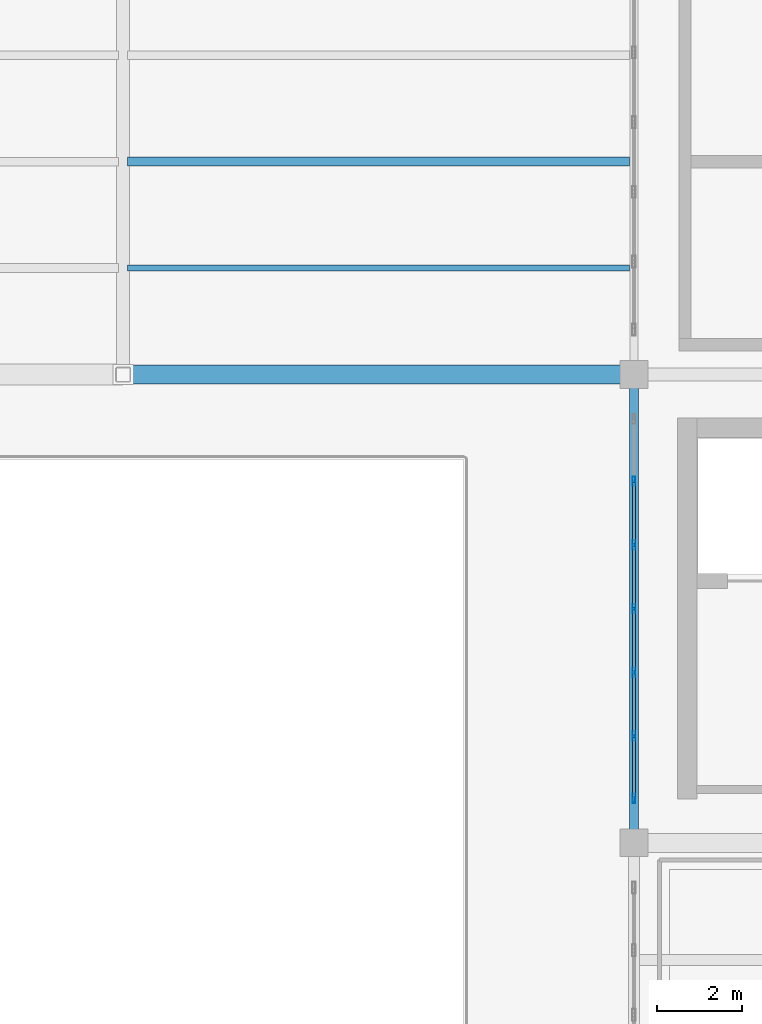
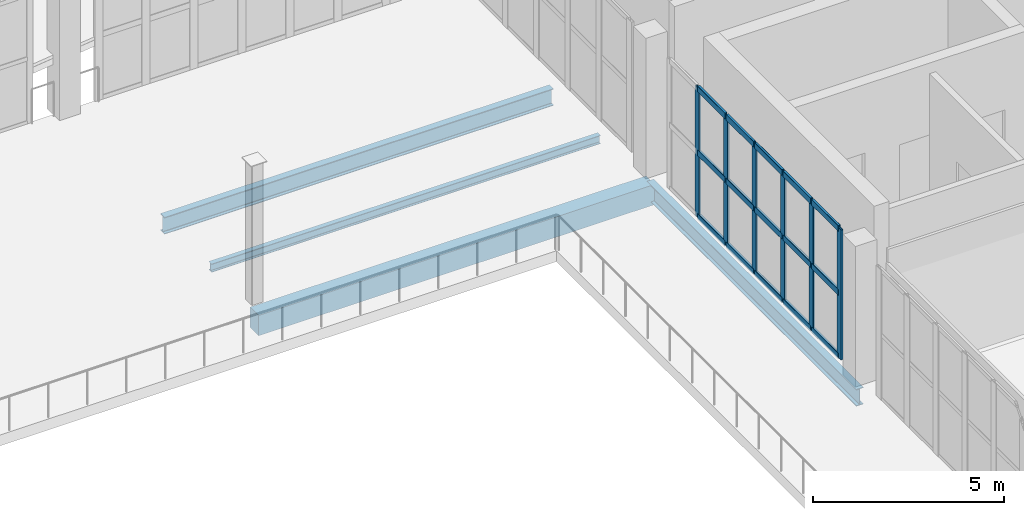
# One storey, part 12 of 90: 21 members, 4 beams, 1 element without a shape of its own.
"""IFC4 building model written with IfcOpenShell, lengths in metres."""

from ifc_helpers import new_model, si_unit, direction, frame, origin, origin_2d, place, context, subcontext, project, spatial, rectangle, hollow_rectangle, i_section, extrude, material, layer, layer_set, material_profile, profile_set, type_object, element, aggregate, save


model = new_model("IFC4")

# Units and contexts
model_context = context("Model", 3, precision=1e-05, world=origin(), true_north=direction((0.0, 1.0)))
body_context = subcontext(model_context, "Body", "Model", "MODEL_VIEW")
ifc_project = project(units=[si_unit("LENGTHUNIT", "METRE"), si_unit("AREAUNIT", "SQUARE_METRE"), si_unit("VOLUMEUNIT", "CUBIC_METRE"), si_unit("PLANEANGLEUNIT", "RADIAN"), si_unit("MASSUNIT", "GRAM", prefix="KILO")], contexts=[model_context])

# Site, building, storey
site_placement = place(None, origin())
site = spatial("IfcSite", under=ifc_project, at=site_placement, CompositionType="ELEMENT")
building_placement = place(site_placement, origin())
building = spatial("IfcBuilding", under=site, at=building_placement, Name="Brinegate Civic Arena", CompositionType="ELEMENT")
storey_placement = place(building_placement, frame((0.0, 0.0, 14.699951171875)))
storey = spatial("IfcBuildingStorey", under=building, at=storey_placement, Name="L03", CompositionType="ELEMENT", Elevation=14.699951171875)

# Curtain wall, members
ifc_material_1 = material(Name="Marine grade aluminium", Category="aluminium")
ifc_layer = layer(ifc_material_1, 0.199951171875, Name="Marine grade aluminium")
ifc_layer_set = layer_set([ifc_layer], Name="Marine grade aluminium")
curtain_wall_type = type_object("IfcCurtainWallType", Name="CW-BOWL-GLAZED-01", PredefinedType="USERDEFINED", material=ifc_layer_set)
curtain_wall_placement = place(storey_placement, origin())
curtain_wall = element("IfcCurtainWall", 1, at=curtain_wall_placement, inside=storey, type_object=curtain_wall_type, Name="Curtain Wall CWA-109", ObjectType="GLAZED CURTAIN WALL", PredefinedType="USERDEFINED")
ifc_material_profile_1 = material_profile(ifc_material_1, hollow_rectangle(XDim=0.06494140625, YDim=0.219970703125, WallThickness=0.006103515625, InnerFilletRadius=0.00390625, OuterFilletRadius=0.008056640625, at=origin_2d()), Name="MUL65X220")
ifc_profile_set_1 = profile_set([ifc_material_profile_1], Name="Marine grade aluminium")
member_type_1 = type_object("IfcMemberType", Name="CW-MULLION-65X220", PredefinedType="MULLION", material=ifc_profile_set_1)
member_1_placement = place(storey_placement, frame((48.0, 32.04248046875, 0.0), z_axis=(0.0, 0.0, 1.0), x_axis=(-1.0, 0.0, 0.0)))
member_1 = element("IfcMember", 2, at=member_1_placement, type_object=member_type_1, Name="CWA-109 mullion 1", PredefinedType="MULLION", context=body_context, shape_type="SweptSolid", body=[
    extrude(hollow_rectangle(XDim=0.06494140625, YDim=0.219970703125, WallThickness=0.006103515625, InnerFilletRadius=0.00390625, OuterFilletRadius=0.008056640625, at=origin_2d()), origin(), (0.0, 0.0, 1.0), 4.16015625),
])
member_2_placement = place(storey_placement, frame((48.0, 33.506591796875, 0.0), z_axis=(0.0, 0.0, 1.0), x_axis=(-1.0, 0.0, 0.0)))
member_2 = element("IfcMember", 3, at=member_2_placement, type_object=member_type_1, Name="CWA-109 mullion 2", PredefinedType="MULLION", context=body_context, shape_type="SweptSolid", body=[
    extrude(hollow_rectangle(XDim=0.06494140625, YDim=0.219970703125, WallThickness=0.006103515625, InnerFilletRadius=0.00390625, OuterFilletRadius=0.008056640625, at=origin_2d()), origin(), (0.0, 0.0, 1.0), 4.16015625),
])
member_3_placement = place(storey_placement, frame((48.0, 35.00341796875, 0.0), z_axis=(0.0, 0.0, 1.0), x_axis=(-1.0, 0.0, 0.0)))
member_3 = element("IfcMember", 4, at=member_3_placement, type_object=member_type_1, Name="CWA-109 mullion 3", PredefinedType="MULLION", context=body_context, shape_type="SweptSolid", body=[
    extrude(hollow_rectangle(XDim=0.06494140625, YDim=0.219970703125, WallThickness=0.006103515625, InnerFilletRadius=0.00390625, OuterFilletRadius=0.008056640625, at=origin_2d()), origin(), (0.0, 0.0, 1.0), 4.16015625),
])
member_4_placement = place(storey_placement, frame((48.0, 36.5, 0.0), z_axis=(0.0, 0.0, 1.0), x_axis=(-1.0, 0.0, 0.0)))
member_4 = element("IfcMember", 5, at=member_4_placement, type_object=member_type_1, Name="CWA-109 mullion 4", PredefinedType="MULLION", context=body_context, shape_type="SweptSolid", body=[
    extrude(hollow_rectangle(XDim=0.06494140625, YDim=0.219970703125, WallThickness=0.006103515625, InnerFilletRadius=0.00390625, OuterFilletRadius=0.008056640625, at=origin_2d()), origin(), (0.0, 0.0, 1.0), 4.16015625),
])
member_5_placement = place(storey_placement, frame((48.0, 37.99658203125, 0.0), z_axis=(0.0, 0.0, 1.0), x_axis=(-1.0, 0.0, 0.0)))
member_5 = element("IfcMember", 6, at=member_5_placement, type_object=member_type_1, Name="CWA-109 mullion 5", PredefinedType="MULLION", context=body_context, shape_type="SweptSolid", body=[
    extrude(hollow_rectangle(XDim=0.06494140625, YDim=0.219970703125, WallThickness=0.006103515625, InnerFilletRadius=0.00390625, OuterFilletRadius=0.008056640625, at=origin_2d()), origin(), (0.0, 0.0, 1.0), 4.16015625),
])
member_6_placement = place(storey_placement, frame((48.0, 39.493408203125, 0.0), z_axis=(0.0, 0.0, 1.0), x_axis=(-1.0, 0.0, 0.0)))
member_6 = element("IfcMember", 7, at=member_6_placement, type_object=member_type_1, Name="CWA-109 mullion 6", PredefinedType="MULLION", context=body_context, shape_type="SweptSolid", body=[
    extrude(hollow_rectangle(XDim=0.06494140625, YDim=0.219970703125, WallThickness=0.006103515625, InnerFilletRadius=0.00390625, OuterFilletRadius=0.008056640625, at=origin_2d()), origin(), (0.0, 0.0, 1.0), 4.16015625),
])
ifc_material_profile_2 = material_profile(ifc_material_1, hollow_rectangle(XDim=0.074951171875, YDim=0.18994140625, WallThickness=0.006103515625, InnerFilletRadius=0.00390625, OuterFilletRadius=0.008056640625, at=origin_2d()), Name="TRN75X190")
ifc_profile_set_2 = profile_set([ifc_material_profile_2], Name="Marine grade aluminium")
member_type_2 = type_object("IfcMemberType", Name="CW-TRANSOM-75X190", PredefinedType="USERDEFINED", material=ifc_profile_set_2)
member_7_placement = place(storey_placement, frame((48.0, 32.074951171875, 0.03759765625), z_axis=(0.0, 1.0, 0.0), x_axis=(-1.0, 0.0, 0.0)))
member_7 = element("IfcMember", 8, at=member_7_placement, type_object=member_type_2, Name="CWA-109 transom 1.1", ObjectType="TRANSOM", PredefinedType="USERDEFINED", context=body_context, shape_type="SweptSolid", body=[
    extrude(hollow_rectangle(XDim=0.074951171875, YDim=0.18994140625, WallThickness=0.006103515625, InnerFilletRadius=0.00390625, OuterFilletRadius=0.008056640625, at=origin_2d()), origin(), (0.0, 0.0, 1.0), 1.399169921875),
])
member_8_placement = place(storey_placement, frame((48.0, 32.074951171875, 2.080078125), z_axis=(0.0, 1.0, 0.0), x_axis=(-1.0, 0.0, 0.0)))
member_8 = element("IfcMember", 9, at=member_8_placement, type_object=member_type_2, Name="CWA-109 transom 1.2", ObjectType="TRANSOM", PredefinedType="USERDEFINED", context=body_context, shape_type="SweptSolid", body=[
    extrude(hollow_rectangle(XDim=0.074951171875, YDim=0.18994140625, WallThickness=0.006103515625, InnerFilletRadius=0.00390625, OuterFilletRadius=0.008056640625, at=origin_2d()), origin(), (0.0, 0.0, 1.0), 1.399169921875),
])
member_9_placement = place(storey_placement, frame((48.0, 32.074951171875, 4.12255859375), z_axis=(0.0, 1.0, 0.0), x_axis=(-1.0, 0.0, 0.0)))
member_9 = element("IfcMember", 10, at=member_9_placement, type_object=member_type_2, Name="CWA-109 transom 1.3", ObjectType="TRANSOM", PredefinedType="USERDEFINED", context=body_context, shape_type="SweptSolid", body=[
    extrude(hollow_rectangle(XDim=0.074951171875, YDim=0.18994140625, WallThickness=0.006103515625, InnerFilletRadius=0.00390625, OuterFilletRadius=0.008056640625, at=origin_2d()), origin(), (0.0, 0.0, 1.0), 1.399169921875),
])
member_10_placement = place(storey_placement, frame((48.0, 33.5390625, 0.03759765625), z_axis=(0.0, 1.0, 0.0), x_axis=(-1.0, 0.0, 0.0)))
member_10 = element("IfcMember", 11, at=member_10_placement, type_object=member_type_2, Name="CWA-109 transom 2.1", ObjectType="TRANSOM", PredefinedType="USERDEFINED", context=body_context, shape_type="SweptSolid", body=[
    extrude(hollow_rectangle(XDim=0.074951171875, YDim=0.18994140625, WallThickness=0.006103515625, InnerFilletRadius=0.00390625, OuterFilletRadius=0.008056640625, at=origin_2d()), origin(), (0.0, 0.0, 1.0), 1.431884765625),
])
member_11_placement = place(storey_placement, frame((48.0, 33.5390625, 2.080078125), z_axis=(0.0, 1.0, 0.0), x_axis=(-1.0, 0.0, 0.0)))
member_11 = element("IfcMember", 12, at=member_11_placement, type_object=member_type_2, Name="CWA-109 transom 2.2", ObjectType="TRANSOM", PredefinedType="USERDEFINED", context=body_context, shape_type="SweptSolid", body=[
    extrude(hollow_rectangle(XDim=0.074951171875, YDim=0.18994140625, WallThickness=0.006103515625, InnerFilletRadius=0.00390625, OuterFilletRadius=0.008056640625, at=origin_2d()), origin(), (0.0, 0.0, 1.0), 1.431884765625),
])
member_12_placement = place(storey_placement, frame((48.0, 33.5390625, 4.12255859375), z_axis=(0.0, 1.0, 0.0), x_axis=(-1.0, 0.0, 0.0)))
member_12 = element("IfcMember", 13, at=member_12_placement, type_object=member_type_2, Name="CWA-109 transom 2.3", ObjectType="TRANSOM", PredefinedType="USERDEFINED", context=body_context, shape_type="SweptSolid", body=[
    extrude(hollow_rectangle(XDim=0.074951171875, YDim=0.18994140625, WallThickness=0.006103515625, InnerFilletRadius=0.00390625, OuterFilletRadius=0.008056640625, at=origin_2d()), origin(), (0.0, 0.0, 1.0), 1.431884765625),
])
member_13_placement = place(storey_placement, frame((48.0, 35.035888671875, 0.03759765625), z_axis=(0.0, 1.0, 0.0), x_axis=(-1.0, 0.0, 0.0)))
member_13 = element("IfcMember", 14, at=member_13_placement, type_object=member_type_2, Name="CWA-109 transom 3.1", ObjectType="TRANSOM", PredefinedType="USERDEFINED", context=body_context, shape_type="SweptSolid", body=[
    extrude(hollow_rectangle(XDim=0.074951171875, YDim=0.18994140625, WallThickness=0.006103515625, InnerFilletRadius=0.00390625, OuterFilletRadius=0.008056640625, at=origin_2d()), origin(), (0.0, 0.0, 1.0), 1.431640625),
])
member_14_placement = place(storey_placement, frame((48.0, 35.035888671875, 2.080078125), z_axis=(0.0, 1.0, 0.0), x_axis=(-1.0, 0.0, 0.0)))
member_14 = element("IfcMember", 15, at=member_14_placement, type_object=member_type_2, Name="CWA-109 transom 3.2", ObjectType="TRANSOM", PredefinedType="USERDEFINED", context=body_context, shape_type="SweptSolid", body=[
    extrude(hollow_rectangle(XDim=0.074951171875, YDim=0.18994140625, WallThickness=0.006103515625, InnerFilletRadius=0.00390625, OuterFilletRadius=0.008056640625, at=origin_2d()), origin(), (0.0, 0.0, 1.0), 1.431640625),
])
member_15_placement = place(storey_placement, frame((48.0, 35.035888671875, 4.12255859375), z_axis=(0.0, 1.0, 0.0), x_axis=(-1.0, 0.0, 0.0)))
member_15 = element("IfcMember", 16, at=member_15_placement, type_object=member_type_2, Name="CWA-109 transom 3.3", ObjectType="TRANSOM", PredefinedType="USERDEFINED", context=body_context, shape_type="SweptSolid", body=[
    extrude(hollow_rectangle(XDim=0.074951171875, YDim=0.18994140625, WallThickness=0.006103515625, InnerFilletRadius=0.00390625, OuterFilletRadius=0.008056640625, at=origin_2d()), origin(), (0.0, 0.0, 1.0), 1.431640625),
])
member_16_placement = place(storey_placement, frame((48.0, 36.532470703125, 0.03759765625), z_axis=(0.0, 1.0, 0.0), x_axis=(-1.0, 0.0, 0.0)))
member_16 = element("IfcMember", 17, at=member_16_placement, type_object=member_type_2, Name="CWA-109 transom 4.1", ObjectType="TRANSOM", PredefinedType="USERDEFINED", context=body_context, shape_type="SweptSolid", body=[
    extrude(hollow_rectangle(XDim=0.074951171875, YDim=0.18994140625, WallThickness=0.006103515625, InnerFilletRadius=0.00390625, OuterFilletRadius=0.008056640625, at=origin_2d()), origin(), (0.0, 0.0, 1.0), 1.431640625),
])
member_17_placement = place(storey_placement, frame((48.0, 36.532470703125, 2.080078125), z_axis=(0.0, 1.0, 0.0), x_axis=(-1.0, 0.0, 0.0)))
member_17 = element("IfcMember", 18, at=member_17_placement, type_object=member_type_2, Name="CWA-109 transom 4.2", ObjectType="TRANSOM", PredefinedType="USERDEFINED", context=body_context, shape_type="SweptSolid", body=[
    extrude(hollow_rectangle(XDim=0.074951171875, YDim=0.18994140625, WallThickness=0.006103515625, InnerFilletRadius=0.00390625, OuterFilletRadius=0.008056640625, at=origin_2d()), origin(), (0.0, 0.0, 1.0), 1.431640625),
])
member_18_placement = place(storey_placement, frame((48.0, 36.532470703125, 4.12255859375), z_axis=(0.0, 1.0, 0.0), x_axis=(-1.0, 0.0, 0.0)))
member_18 = element("IfcMember", 19, at=member_18_placement, type_object=member_type_2, Name="CWA-109 transom 4.3", ObjectType="TRANSOM", PredefinedType="USERDEFINED", context=body_context, shape_type="SweptSolid", body=[
    extrude(hollow_rectangle(XDim=0.074951171875, YDim=0.18994140625, WallThickness=0.006103515625, InnerFilletRadius=0.00390625, OuterFilletRadius=0.008056640625, at=origin_2d()), origin(), (0.0, 0.0, 1.0), 1.431640625),
])
member_19_placement = place(storey_placement, frame((48.0, 38.029052734375, 0.03759765625), z_axis=(0.0, 1.0, 0.0), x_axis=(-1.0, 0.0, 0.0)))
member_19 = element("IfcMember", 20, at=member_19_placement, type_object=member_type_2, Name="CWA-109 transom 5.1", ObjectType="TRANSOM", PredefinedType="USERDEFINED", context=body_context, shape_type="SweptSolid", body=[
    extrude(hollow_rectangle(XDim=0.074951171875, YDim=0.18994140625, WallThickness=0.006103515625, InnerFilletRadius=0.00390625, OuterFilletRadius=0.008056640625, at=origin_2d()), origin(), (0.0, 0.0, 1.0), 1.431884765625),
])
member_20_placement = place(storey_placement, frame((48.0, 38.029052734375, 2.080078125), z_axis=(0.0, 1.0, 0.0), x_axis=(-1.0, 0.0, 0.0)))
member_20 = element("IfcMember", 21, at=member_20_placement, type_object=member_type_2, Name="CWA-109 transom 5.2", ObjectType="TRANSOM", PredefinedType="USERDEFINED", context=body_context, shape_type="SweptSolid", body=[
    extrude(hollow_rectangle(XDim=0.074951171875, YDim=0.18994140625, WallThickness=0.006103515625, InnerFilletRadius=0.00390625, OuterFilletRadius=0.008056640625, at=origin_2d()), origin(), (0.0, 0.0, 1.0), 1.431884765625),
])
member_21_placement = place(storey_placement, frame((48.0, 38.029052734375, 4.12255859375), z_axis=(0.0, 1.0, 0.0), x_axis=(-1.0, 0.0, 0.0)))
member_21 = element("IfcMember", 22, at=member_21_placement, type_object=member_type_2, Name="CWA-109 transom 5.3", ObjectType="TRANSOM", PredefinedType="USERDEFINED", context=body_context, shape_type="SweptSolid", body=[
    extrude(hollow_rectangle(XDim=0.074951171875, YDim=0.18994140625, WallThickness=0.006103515625, InnerFilletRadius=0.00390625, OuterFilletRadius=0.008056640625, at=origin_2d()), origin(), (0.0, 0.0, 1.0), 1.431884765625),
])
aggregate(curtain_wall, [member_1, member_2, member_3, member_4, member_5, member_6, member_7, member_8, member_9, member_10, member_11, member_12, member_13, member_14, member_15, member_16, member_17, member_18, member_19, member_20, member_21])

# Beams
ifc_material_2 = material(Name="Steel S355", Category="steel")
ifc_material_profile_3 = material_profile(ifc_material_2, i_section(OverallWidth=0.14794921875, OverallDepth=0.26611328125, WebThickness=0.008056640625, FlangeThickness=0.012939453125, FilletRadius=0.011962890625, at=origin_2d()), Name="W250X45")
ifc_profile_set_3 = profile_set([ifc_material_profile_3], Name="Steel S355")
beam_type_1 = type_object("IfcBeamType", Name="JOIST-W250X45", PredefinedType="JOIST", material=ifc_profile_set_3)
beam_1_placement = place(storey_placement, frame((36.10595703125, 44.5, -0.48291015625), z_axis=(1.0, 0.0, 0.0), x_axis=(0.0, 1.0, 0.0)))
element("IfcBeam", 23, at=beam_1_placement, inside=storey, type_object=beam_type_1, Name="Secondary Joist BM-L03-JX-03-04-1", PredefinedType="JOIST", context=body_context, shape_type="SweptSolid", body=[
    extrude(i_section(OverallWidth=0.14794921875, OverallDepth=0.26611328125, WebThickness=0.008056640625, FlangeThickness=0.012939453125, FilletRadius=0.011962890625, at=origin_2d()), origin(), (0.0, 0.0, 1.0), 11.7880859375),
])
ifc_material_profile_4 = material_profile(ifc_material_2, i_section(OverallWidth=0.2119140625, OverallDepth=0.5439453125, WebThickness=0.012939453125, FlangeThickness=0.02099609375, FilletRadius=0.01611328125, at=origin_2d()), Name="W530X123")
ifc_profile_set_4 = profile_set([ifc_material_profile_4], Name="Steel S355")
beam_type_2 = type_object("IfcBeamType", Name="JOIST-W530X123", PredefinedType="JOIST", material=ifc_profile_set_4)
beam_2_placement = place(storey_placement, frame((36.10595703125, 47.0, -0.6220703125), z_axis=(1.0, 0.0, 0.0), x_axis=(0.0, 1.0, 0.0)))
element("IfcBeam", 24, at=beam_2_placement, inside=storey, type_object=beam_type_2, Name="Secondary Joist BM-L03-JX-03-04-2", PredefinedType="JOIST", context=body_context, shape_type="SweptSolid", body=[
    extrude(i_section(OverallWidth=0.2119140625, OverallDepth=0.5439453125, WebThickness=0.012939453125, FlangeThickness=0.02099609375, FilletRadius=0.01611328125, at=origin_2d()), origin(), (0.0, 0.0, 1.0), 11.7880859375),
])
ifc_material_3 = material(Name="Concrete C50/60", Category="concrete")
ifc_material_profile_5 = material_profile(ifc_material_3, rectangle(XDim=0.449951171875, YDim=0.64990234375, at=origin_2d()), Name="RCB450X650")
ifc_profile_set_5 = profile_set([ifc_material_profile_5], Name="Concrete C50/60")
beam_type_3 = type_object("IfcBeamType", Name="RCG-450X650", PredefinedType="BEAM", material=ifc_profile_set_5)
beam_3_placement = place(storey_placement, frame((36.0, 42.0, -0.675048828125), z_axis=(1.0, 0.0, 0.0), x_axis=(0.0, 1.0, 0.0)))
element("IfcBeam", 25, at=beam_3_placement, inside=storey, type_object=beam_type_3, Name="Floor Girder BM-L03-GX-03-04", PredefinedType="BEAM", context=body_context, shape_type="SweptSolid", body=[
    extrude(rectangle(XDim=0.449951171875, YDim=0.64990234375, at=origin_2d()), origin(), (0.0, 0.0, 1.0), 12.0),
])
ifc_material_profile_6 = material_profile(ifc_material_2, i_section(OverallWidth=0.2119140625, OverallDepth=0.5439453125, WebThickness=0.012939453125, FlangeThickness=0.02099609375, FilletRadius=0.01611328125, at=origin_2d()), Name="W530X123")
ifc_profile_set_6 = profile_set([ifc_material_profile_6], Name="Steel S355")
beam_type_4 = type_object("IfcBeamType", Name="SPANDREL-W530X123", PredefinedType="SPANDREL", material=ifc_profile_set_6)
beam_4_placement = place(storey_placement, frame((48.0, 31.0, -0.6220703125), z_axis=(0.0, 1.0, 0.0), x_axis=(-1.0, 0.0, 0.0)))
element("IfcBeam", 26, at=beam_4_placement, inside=storey, type_object=beam_type_4, Name="Floor Girder BM-L03-GY-04-03", PredefinedType="SPANDREL", context=body_context, shape_type="SweptSolid", body=[
    extrude(i_section(OverallWidth=0.2119140625, OverallDepth=0.5439453125, WebThickness=0.012939453125, FlangeThickness=0.02099609375, FilletRadius=0.01611328125, at=origin_2d()), origin(), (0.0, 0.0, 1.0), 11.0),
])

save(model, "model.ifc")
